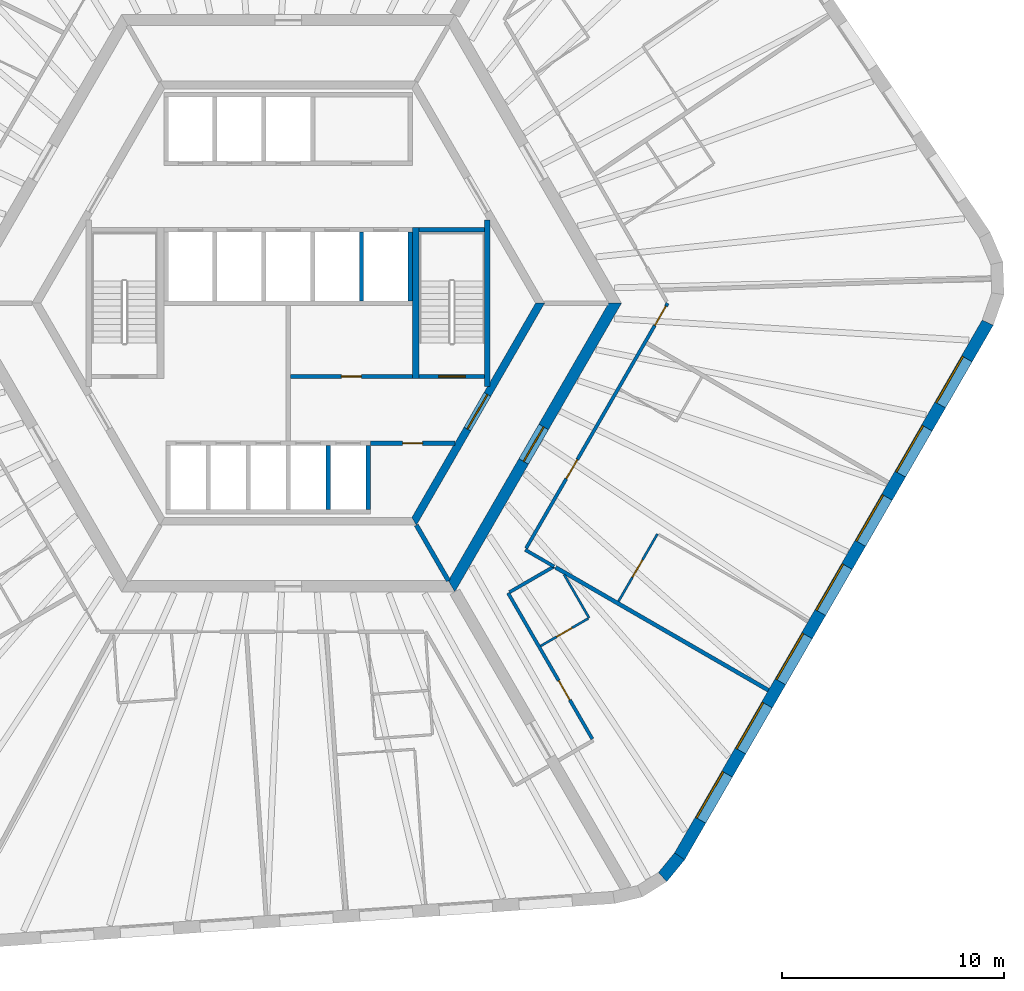
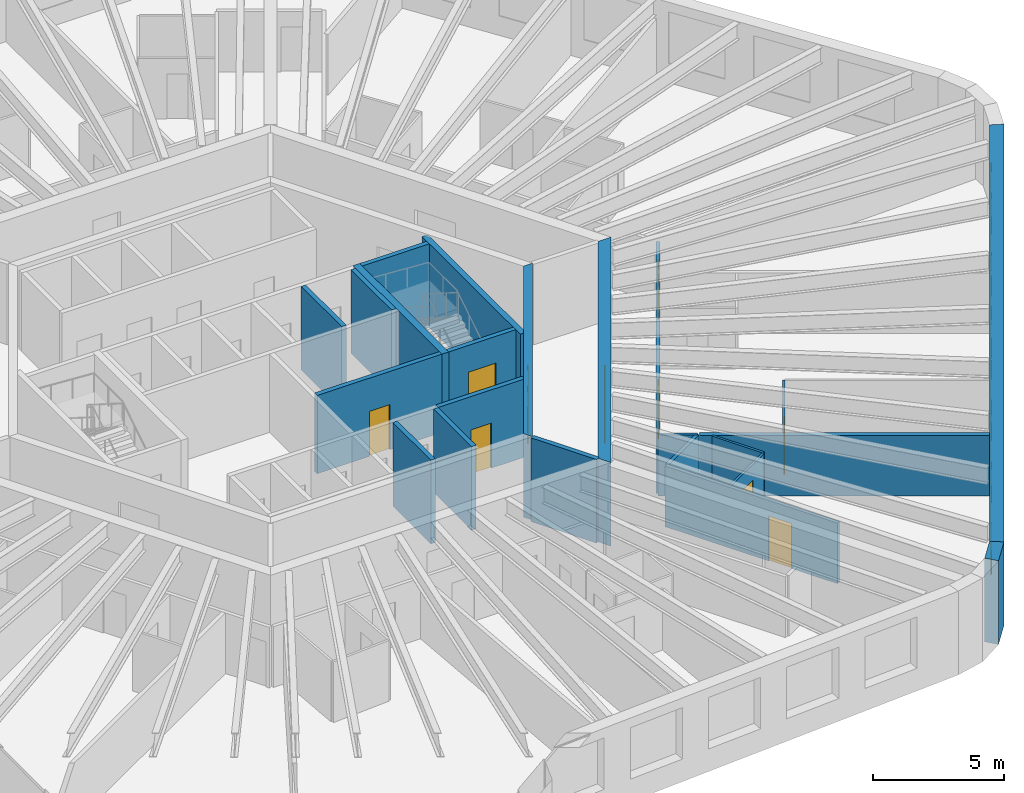
# One storey, part 5 of 10: 23 walls, 10 doors, 7 windows, 17 openings.
"""IFC4 building model written with IfcOpenShell, lengths in metres."""

from ifc_helpers import new_model, si_unit, direction, frame, frame_2d, origin, place, context, subcontext, project, spatial, polyline, rectangle, outline, extrude, material, layer, layer_set, type_object, element, fill, save


model = new_model("IFC4")

# Units and contexts
model_context = context("Model", 3, precision=1e-05, world=origin(), true_north=direction((0.0, 1.0)))
body_context = subcontext(model_context, "Body", "Model", "MODEL_VIEW")
ifc_project = project(units=[si_unit("LENGTHUNIT", "METRE"), si_unit("AREAUNIT", "SQUARE_METRE"), si_unit("VOLUMEUNIT", "CUBIC_METRE"), si_unit("PLANEANGLEUNIT", "RADIAN"), si_unit("MASSUNIT", "GRAM", prefix="KILO")], contexts=[model_context])

# Site, building, storey
site_placement = place(None, origin())
site = spatial("IfcSite", under=ifc_project, at=site_placement, CompositionType="ELEMENT")
building_placement = place(site_placement, origin())
building = spatial("IfcBuilding", under=site, at=building_placement, Name="Tarnside Tower", CompositionType="ELEMENT")
storey_placement = place(building_placement, frame((0.0, 0.0, 156.60009765625)))
storey = spatial("IfcBuildingStorey", under=building, at=storey_placement, Name="L36", CompositionType="ELEMENT", Elevation=156.60009765625)

# Wall
ifc_material_1 = material(Name="Gypsum board partition on steel studs", Category="steel")
ifc_layer_1 = layer(ifc_material_1, 0.10009765625)
ifc_layer_set_1 = layer_set([ifc_layer_1], Name="Bathroom wall 100")
wall_type_1 = type_object("IfcWallType", Name="Bathroom wall 100", PredefinedType="PARTITIONING", material=ifc_layer_set_1)
wall_1_placement = place(storey_placement, frame((12.42626953125, -12.22265625, 0.0), z_axis=(0.0, 0.0, 1.0), x_axis=(0.499919032186, -0.866072145528, 0.0)))
element("IfcWall", 1, at=wall_1_placement, inside=storey, type_object=wall_type_1, Name="Bathroom wall 11094", PredefinedType="PARTITIONING", context=body_context, shape_type="SweptSolid", body=[
    extrude(rectangle(XDim=2.257568359375, YDim=0.10009765625, at=frame_2d((1.12890625, 0.0))), origin(), (0.0, 0.0, 1.0), 2.8232421875),
])

# Wall, opening, door
wall_2_placement = place(storey_placement, frame((13.51171875, -14.202880859375, 0.0), z_axis=(0.0, 0.0, 1.0), x_axis=(-0.866006523861, -0.500032699561, 0.0)))
wall_2 = element("IfcWall", 2, at=wall_2_placement, inside=storey, type_object=wall_type_1, Name="Bathroom wall 11095", PredefinedType="PARTITIONING", context=body_context, shape_type="SweptSolid", body=[
    extrude(rectangle(XDim=2.474853515625, YDim=0.10009765625, at=frame_2d((1.2373046875, 0.0))), origin(), (0.0, 0.0, 1.0), 2.8232421875),
])
opening_1_placement = place(wall_2_placement, frame((0.85009765625, 0.0, 0.0)))
opening_1 = element("IfcOpeningElement", 3, at=opening_1_placement, cuts=wall_2, Name="Opening D-B1", PredefinedType="OPENING", context=body_context, shape_type="SweptSolid", body=[
    extrude(rectangle(XDim=0.800048828125, YDim=2.10009765625, at=frame_2d((0.39990234375, 1.050048828125))), frame((0.0, 0.06005859375, 0.0), z_axis=(0.0, -1.0, 0.0), x_axis=(1.0, 0.0, 0.0)), (0.0, 0.0, 1.0), 0.1201171875),
])
ifc_material_2 = material(Name="Timber door leaf", Category="wood")
door_type_1 = type_object("IfcDoorType", Name="Bathroom door 800", OperationType="NOTDEFINED", PredefinedType="DOOR", material=ifc_material_2)
door_1_placement = place(opening_1_placement, origin())
door_1 = element("IfcDoor", 4, at=door_1_placement, inside=storey, type_object=door_type_1, Name="Bathroom door 11026", OperationType="SINGLE_SWING_RIGHT", OverallHeight=2.10009765625, OverallWidth=0.800048828125, PredefinedType="DOOR", context=body_context, shape_type="SweptSolid", body=[
    extrude(rectangle(XDim=0.800048828125, YDim=2.10009765625, at=frame_2d((0.39990234375, 1.050048828125))), frame((0.0, 0.02490234375, 0.0), z_axis=(0.0, -1.0, 0.0), x_axis=(1.0, 0.0, 0.0)), (0.0, 0.0, 1.0), 0.050048828125),
])
fill(opening_1, door_1)

ifc_material_3 = material(Name="Concrete C50/60", Category="concrete")
ifc_layer_2 = layer(ifc_material_3, 0.35009765625)
ifc_layer_set_2 = layer_set([ifc_layer_2], Name="Core block wall 350 C50/60")
wall_type_2 = type_object("IfcWallType", Name="Core block wall 350 C50/60", PredefinedType="SHEAR", material=ifc_layer_set_2)
wall_3_placement = place(storey_placement, frame((5.672607421875, -9.824951171875, -0.150146484375), z_axis=(0.0, 0.0, 1.0), x_axis=(0.499995046907, 0.866028263435, 0.0)))
wall_3 = element("IfcWall", 5, at=wall_3_placement, inside=storey, type_object=wall_type_2, Name="L36 core block wall face 5", PredefinedType="SHEAR", context=body_context, shape_type="SweptSolid", body=[
    extrude(outline(polyline([(-0.10107421875, -0.175048828125), (11.44580078125, -0.175048828125), (11.24365234375, 0.175048828125), (0.10107421875, 0.175048828125), (-0.10107421875, -0.175048828125)])), origin(), (0.0, 0.0, 1.0), 3.900146484375),
])
opening_2_placement = place(wall_3_placement, frame((4.80126953125, 0.0, 0.14990234375)))
opening_2 = element("IfcOpeningElement", 6, at=opening_2_placement, cuts=wall_3, Name="Opening CD-FFL", PredefinedType="OPENING", context=body_context, shape_type="SweptSolid", body=[
    extrude(rectangle(XDim=1.800048828125, YDim=2.39990234375, at=frame_2d((0.89990234375, 1.199951171875))), frame((0.0, 0.18505859375, 0.0), z_axis=(0.0, -1.0, 0.0), x_axis=(1.0, 0.0, 0.0)), (0.0, 0.0, 1.0), 0.3701171875),
])
ifc_material_4 = material(Name="Steel fire door", Category="steel")
door_type_2 = type_object("IfcDoorType", Name="Firefighting lobby double door FD60S 1800x2400", OperationType="NOTDEFINED", PredefinedType="DOOR", material=ifc_material_4)
door_2_placement = place(opening_2_placement, origin())
door_2 = element("IfcDoor", 7, at=door_2_placement, inside=storey, type_object=door_type_2, Name="L36 lobby block door P4", OperationType="DOUBLE_DOOR_SINGLE_SWING", OverallHeight=2.39990234375, OverallWidth=1.800048828125, PredefinedType="DOOR", context=body_context, shape_type="SweptSolid", body=[
    extrude(rectangle(XDim=1.800048828125, YDim=2.39990234375, at=frame_2d((0.89990234375, 1.199951171875))), frame((0.0, 0.02490234375, 0.0), z_axis=(0.0, -1.0, 0.0), x_axis=(1.0, 0.0, 0.0)), (0.0, 0.0, 1.0), 0.050048828125),
])
fill(opening_2, door_2)

ifc_material_5 = material(Name="Concrete C40/50", Category="concrete")
ifc_layer_3 = layer(ifc_material_5, 0.199951171875)
ifc_layer_set_3 = layer_set([ifc_layer_3], Name="Core room partition 200 C40/50")
wall_type_3 = type_object("IfcWallType", Name="Core room partition 200 C40/50", PredefinedType="PARTITIONING", material=ifc_layer_set_3)
wall_4_placement = place(storey_placement, frame((0.10009765625, -3.300048828125, 0.0), z_axis=(0.0, 0.0, 1.0), x_axis=(1.0, 0.0, 0.0)))
wall_4 = element("IfcWall", 8, at=wall_4_placement, inside=storey, type_object=wall_type_3, Name="L36 core partition R3S1", PredefinedType="PARTITIONING", context=body_context, shape_type="SweptSolid", body=[
    extrude(rectangle(XDim=5.5, YDim=0.199951171875, at=frame_2d((2.75, 0.0))), origin(), (0.0, 0.0, 1.0), 3.64990234375),
])
opening_3_placement = place(wall_4_placement, frame((2.300048828125, 0.0, 0.0)))
opening_3 = element("IfcOpeningElement", 9, at=opening_3_placement, cuts=wall_4, Name="Opening CD-room", PredefinedType="OPENING", context=body_context, shape_type="SweptSolid", body=[
    extrude(rectangle(XDim=0.89990234375, YDim=2.10009765625, at=frame_2d((0.449951171875, 1.050048828125))), frame((0.0, 0.10986328125, 0.0), z_axis=(0.0, -1.0, 0.0), x_axis=(1.0, 0.0, 0.0)), (0.0, 0.0, 1.0), 0.219970703125),
])
door_type_3 = type_object("IfcDoorType", Name="Room door FD60 900x2100", OperationType="NOTDEFINED", PredefinedType="DOOR", material=ifc_material_4)
door_3_placement = place(opening_3_placement, origin())
door_3 = element("IfcDoor", 10, at=door_3_placement, inside=storey, type_object=door_type_3, Name="L36 core room door SR1", OperationType="SINGLE_SWING_LEFT", OverallHeight=2.10009765625, OverallWidth=0.89990234375, PredefinedType="DOOR", context=body_context, shape_type="SweptSolid", body=[
    extrude(rectangle(XDim=0.89990234375, YDim=2.10009765625, at=frame_2d((0.449951171875, 1.050048828125))), frame((0.0, 0.02490234375, 0.0), z_axis=(0.0, -1.0, 0.0), x_axis=(1.0, 0.0, 0.0)), (0.0, 0.0, 1.0), 0.050048828125),
])
fill(opening_3, door_3)

wall_5_placement = place(storey_placement, frame((3.699951171875, -6.300048828125, 0.0), z_axis=(0.0, 0.0, 1.0), x_axis=(1.0, 0.0, 0.0)))
wall_5 = element("IfcWall", 11, at=wall_5_placement, inside=storey, type_object=wall_type_3, Name="L36 core partition R4X", PredefinedType="PARTITIONING", context=body_context, shape_type="SweptSolid", body=[
    extrude(rectangle(XDim=3.8056640625, YDim=0.199951171875, at=frame_2d((1.90283203125, 0.0))), origin(), (0.0, 0.0, 1.0), 3.64990234375),
])
opening_4_placement = place(wall_5_placement, frame((1.452880859375, 0.0, 0.0)))
opening_4 = element("IfcOpeningElement", 12, at=opening_4_placement, cuts=wall_5, Name="Opening CD-room", PredefinedType="OPENING", context=body_context, shape_type="SweptSolid", body=[
    extrude(rectangle(XDim=0.89990234375, YDim=2.10009765625, at=frame_2d((0.449951171875, 1.050048828125))), frame((0.0, 0.10986328125, 0.0), z_axis=(0.0, -1.0, 0.0), x_axis=(1.0, 0.0, 0.0)), (0.0, 0.0, 1.0), 0.219970703125),
])
door_4_placement = place(opening_4_placement, origin())
door_4 = element("IfcDoor", 13, at=door_4_placement, inside=storey, type_object=door_type_3, Name="L36 core room door RX", OperationType="SINGLE_SWING_LEFT", OverallHeight=2.10009765625, OverallWidth=0.89990234375, PredefinedType="DOOR", context=body_context, shape_type="SweptSolid", body=[
    extrude(rectangle(XDim=0.89990234375, YDim=2.10009765625, at=frame_2d((0.449951171875, 1.050048828125))), frame((0.0, 0.02490234375, 0.0), z_axis=(0.0, -1.0, 0.0), x_axis=(1.0, 0.0, 0.0)), (0.0, 0.0, 1.0), 0.050048828125),
])
fill(opening_4, door_4)

ifc_material_6 = material(Name="Concrete C70/85", Category="concrete")
ifc_layer_4 = layer(ifc_material_6, 0.5)
ifc_layer_set_4 = layer_set([ifc_layer_4], Name="Core wall Z2 500 C70/85")
wall_type_4 = type_object("IfcWallType", Name="Core wall Z2 500 C70/85", PredefinedType="SHEAR", material=ifc_layer_set_4)
wall_6_placement = place(storey_placement, frame((7.361083984375, -12.75, -0.150146484375), z_axis=(0.0, 0.0, 1.0), x_axis=(0.50000571537, 0.866022103989, 0.0)))
wall_6 = element("IfcWall", 14, at=wall_6_placement, inside=storey, type_object=wall_type_4, Name="L36 core wall face 5", PredefinedType="SHEAR", context=body_context, shape_type="SweptSolid", body=[
    extrude(outline(polyline([(-0.144287109375, -0.25), (14.86669921875, -0.25), (14.578125, 0.25), (0.144287109375, 0.25), (-0.144287109375, -0.25)])), origin(), (0.0, 0.0, 1.0), 3.900146484375),
])
opening_5_placement = place(wall_6_placement, frame((6.489990234375, 0.0, 0.14990234375)))
opening_5 = element("IfcOpeningElement", 15, at=opening_5_placement, cuts=wall_6, Name="Opening CD-FFL", PredefinedType="OPENING", context=body_context, shape_type="SweptSolid", body=[
    extrude(rectangle(XDim=1.800048828125, YDim=2.39990234375, at=frame_2d((0.89990234375, 1.199951171875))), frame((0.0, 0.260009765625, 0.0), z_axis=(0.0, -1.0, 0.0), x_axis=(1.0, 0.0, 0.0)), (0.0, 0.0, 1.0), 0.52001953125),
])
door_5_placement = place(opening_5_placement, origin())
door_5 = element("IfcDoor", 16, at=door_5_placement, inside=storey, type_object=door_type_2, Name="L36 core door P4", OperationType="DOUBLE_DOOR_SINGLE_SWING", OverallHeight=2.39990234375, OverallWidth=1.800048828125, PredefinedType="DOOR", context=body_context, shape_type="SweptSolid", body=[
    extrude(rectangle(XDim=1.800048828125, YDim=2.39990234375, at=frame_2d((0.89990234375, 1.199951171875))), frame((0.0, 0.02490234375, 0.0), z_axis=(0.0, -1.0, 0.0), x_axis=(1.0, 0.0, 0.0)), (0.0, 0.0, 1.0), 0.050048828125),
])
fill(opening_5, door_5)

ifc_layer_5 = layer(ifc_material_1, 0.14990234375)
ifc_layer_set_5 = layer_set([ifc_layer_5], Name="Corridor wall 150 EI 60")
wall_type_5 = type_object("IfcWallType", Name="Corridor wall 150 EI 60", PredefinedType="PARTITIONING", material=ifc_layer_set_5)
wall_7_placement = place(storey_placement, frame((13.69921875, -19.6279296875, 0.0), z_axis=(0.0, 0.0, 1.0), x_axis=(-0.499998968938, 0.866025999068, 0.0)))
wall_7 = element("IfcWall", 17, at=wall_7_placement, inside=storey, type_object=wall_type_5, Name="Corridor wall 11033", PredefinedType="PARTITIONING", context=body_context, shape_type="SweptSolid", body=[
    extrude(rectangle(XDim=7.591796875, YDim=0.14990234375, at=frame_2d((3.7958984375, 0.0))), origin(), (0.0, 0.0, 1.0), 2.8232421875),
])
opening_6_placement = place(wall_7_placement, frame((2.033447265625, 0.0, 0.0)))
opening_6 = element("IfcOpeningElement", 18, at=opening_6_placement, cuts=wall_7, Name="Opening D-E1", PredefinedType="OPENING", context=body_context, shape_type="SweptSolid", body=[
    extrude(rectangle(XDim=1.0, YDim=2.10009765625, at=frame_2d((0.5, 1.050048828125))), frame((0.0, 0.0849609375, 0.0), z_axis=(0.0, -1.0, 0.0), x_axis=(1.0, 0.0, 0.0)), (0.0, 0.0, 1.0), 0.169921875),
])
door_type_4 = type_object("IfcDoorType", Name="Unit entrance door 1000 FD30S", OperationType="NOTDEFINED", PredefinedType="DOOR", material=ifc_material_2)
door_6_placement = place(opening_6_placement, origin())
door_6 = element("IfcDoor", 19, at=door_6_placement, inside=storey, type_object=door_type_4, Name="Unit door 11025", OperationType="SINGLE_SWING_LEFT", OverallHeight=2.10009765625, OverallWidth=1.0, PredefinedType="DOOR", context=body_context, shape_type="SweptSolid", body=[
    extrude(rectangle(XDim=1.0, YDim=2.10009765625, at=frame_2d((0.5, 1.050048828125))), frame((0.0, 0.02490234375, 0.0), z_axis=(0.0, -1.0, 0.0), x_axis=(1.0, 0.0, 0.0)), (0.0, 0.0, 1.0), 0.050048828125),
])
fill(opening_6, door_6)

# Walls
wall_8_placement = place(storey_placement, frame((9.96826171875, -13.015625, 0.0), z_axis=(0.0, 0.0, 1.0), x_axis=(0.866022320763, 0.500005339912, 0.0)))
element("IfcWall", 20, at=wall_8_placement, inside=storey, type_object=wall_type_5, Name="Corridor wall 11035", PredefinedType="PARTITIONING", context=body_context, shape_type="SweptSolid", body=[
    extrude(rectangle(XDim=2.31591796875, YDim=0.14990234375, at=frame_2d((1.157958984375, 0.0))), origin(), (0.0, 0.0, 1.0), 2.8232421875),
])
wall_9_placement = place(storey_placement, frame((11.9765625, -11.859375, 0.0), z_axis=(0.0, 0.0, 1.0), x_axis=(-0.865993364801, 0.500055489042, 0.0)))
element("IfcWall", 21, at=wall_9_placement, inside=storey, type_object=wall_type_5, Name="Corridor wall 11036", PredefinedType="PARTITIONING", context=body_context, shape_type="SweptSolid", body=[
    extrude(rectangle(XDim=1.501708984375, YDim=0.14990234375, at=frame_2d((0.7509765625, 0.0))), origin(), (0.0, 0.0, 1.0), 2.8232421875),
])

# Wall, openings, doors
wall_10_placement = place(storey_placement, frame((10.713623046875, -11.04345703125, 0.0), z_axis=(0.0, 0.0, 1.0), x_axis=(0.500001980452, 0.866024260367, 0.0)))
wall_10 = element("IfcWall", 22, at=wall_10_placement, inside=storey, type_object=wall_type_5, Name="Corridor wall 11037", PredefinedType="PARTITIONING", context=body_context, shape_type="SweptSolid", body=[
    extrude(rectangle(XDim=12.751953125, YDim=0.14990234375, at=frame_2d((6.3759765625, 0.0))), origin(), (0.0, 0.0, 1.0), 2.8232421875),
])
opening_7_placement = place(wall_10_placement, frame((3.625, 0.0, 0.0)))
opening_7 = element("IfcOpeningElement", 23, at=opening_7_placement, cuts=wall_10, Name="Opening D-E1", PredefinedType="OPENING", context=body_context, shape_type="SweptSolid", body=[
    extrude(rectangle(XDim=1.0, YDim=2.10009765625, at=frame_2d((0.5, 1.050048828125))), frame((0.0, 0.0849609375, 0.0), z_axis=(0.0, -1.0, 0.0), x_axis=(1.0, 0.0, 0.0)), (0.0, 0.0, 1.0), 0.169921875),
])
opening_8_placement = place(wall_10_placement, frame((11.601806640625, 0.0, 0.0)))
opening_8 = element("IfcOpeningElement", 24, at=opening_8_placement, cuts=wall_10, Name="Opening D-E1", PredefinedType="OPENING", context=body_context, shape_type="SweptSolid", body=[
    extrude(rectangle(XDim=1.0, YDim=2.10009765625, at=frame_2d((0.5, 1.050048828125))), frame((0.0, 0.0849609375, 0.0), z_axis=(0.0, -1.0, 0.0), x_axis=(1.0, 0.0, 0.0)), (0.0, 0.0, 1.0), 0.169921875),
])
door_7_placement = place(opening_7_placement, origin())
door_7 = element("IfcDoor", 25, at=door_7_placement, inside=storey, type_object=door_type_4, Name="Unit door 11027", OperationType="SINGLE_SWING_RIGHT", OverallHeight=2.10009765625, OverallWidth=1.0, PredefinedType="DOOR", context=body_context, shape_type="SweptSolid", body=[
    extrude(rectangle(XDim=1.0, YDim=2.10009765625, at=frame_2d((0.5, 1.050048828125))), frame((0.0, 0.02490234375, 0.0), z_axis=(0.0, -1.0, 0.0), x_axis=(1.0, 0.0, 0.0)), (0.0, 0.0, 1.0), 0.050048828125),
])
fill(opening_7, door_7)
door_8_placement = place(opening_8_placement, origin())
door_8 = element("IfcDoor", 26, at=door_8_placement, inside=storey, type_object=door_type_4, Name="Unit door 11030", OperationType="SINGLE_SWING_LEFT", OverallHeight=2.10009765625, OverallWidth=1.0, PredefinedType="DOOR", context=body_context, shape_type="SweptSolid", body=[
    extrude(rectangle(XDim=1.0, YDim=2.10009765625, at=frame_2d((0.5, 1.050048828125))), frame((0.0, 0.02490234375, 0.0), z_axis=(0.0, -1.0, 0.0), x_axis=(1.0, 0.0, 0.0)), (0.0, 0.0, 1.0), 0.050048828125),
])
fill(opening_8, door_8)

# Walls
ifc_layer_6 = layer(ifc_material_1, 0.179931640625)
ifc_layer_set_6 = layer_set([ifc_layer_6], Name="Demising wall 180 EI 60")
wall_type_6 = type_object("IfcWallType", Name="Demising wall 180 EI 60", PredefinedType="PARTITIONING", material=ifc_layer_set_6)
wall_11_placement = place(storey_placement, frame((21.63134765625, -17.433349609375, 0.0), z_axis=(0.0, 0.0, 1.0), x_axis=(-0.866031296205, 0.499989793889, 0.0)))
element("IfcWall", 27, at=wall_11_placement, inside=storey, type_object=wall_type_6, Name="Demising wall 11096", PredefinedType="PARTITIONING", context=body_context, shape_type="SweptSolid", body=[
    extrude(rectangle(XDim=11.067138671875, YDim=0.179931640625, at=frame_2d((5.53369140625, 0.0))), origin(), (0.0, 0.0, 1.0), 2.8232421875),
])
ifc_layer_7 = layer(ifc_material_5, 0.199951171875)
ifc_layer_set_7 = layer_set([ifc_layer_7], Name="Lift shaft wall 200 C40/50")
wall_type_7 = type_object("IfcWallType", Name="Lift shaft wall 200 C40/50", PredefinedType="SHEAR", material=ifc_layer_set_7)
for number, where, z_axis, x_axis, name in (
    (28, (3.300048828125, 0.10009765625, -0.25), (0.0, 0.0, 1.0), (0.0, 1.0, 0.0), "L36 lift shaft partition R25"),
    (29, (5.5, 0.10009765625, -0.25), (0.0, 0.0, 1.0), (0.0, 1.0, 0.0), "L36 lift shaft partition R26"),
):
    element("IfcWall", number, at=place(storey_placement, frame(where, z_axis=z_axis, x_axis=x_axis)), inside=storey, type_object=wall_type_7, Name=name, PredefinedType="SHEAR", context=body_context, shape_type="SweptSolid", body=[
        extrude(rectangle(XDim=3.099853515625, YDim=0.199951171875, at=frame_2d((1.5498046875, 0.0))), origin(), (0.0, 0.0, 1.0), 3.89990234375),
    ])
for number, where, z_axis, x_axis, name in (
    (30, (1.800048828125, -9.300048828125, -0.25), (0.0, 0.0, 1.0), (0.0, 1.0, 0.0), "L36 lift shaft partition R45"),
    (31, (3.60009765625, -9.300048828125, -0.25), (0.0, 0.0, 1.0), (0.0, 1.0, 0.0), "L36 lift shaft partition R46"),
):
    element("IfcWall", number, at=place(storey_placement, frame(where, z_axis=z_axis, x_axis=x_axis)), inside=storey, type_object=wall_type_7, Name=name, PredefinedType="SHEAR", context=body_context, shape_type="SweptSolid", body=[
        extrude(rectangle(XDim=2.900146484375, YDim=0.199951171875, at=frame_2d((1.4501953125, 0.0))), origin(), (0.0, 0.0, 1.0), 3.89990234375),
    ])
wall_12_placement = place(storey_placement, frame((5.7734375, -10.0, -0.150146484375), z_axis=(0.0, 0.0, 1.0), x_axis=(0.499995765644, -0.866027848477, 0.0)))
element("IfcWall", 32, at=wall_12_placement, inside=storey, type_object=wall_type_7, Name="L36 core partition AR300", PredefinedType="SHEAR", context=body_context, shape_type="SweptSolid", body=[
    extrude(rectangle(XDim=2.88671875, YDim=0.199951171875, at=frame_2d((1.443359375, 0.0))), origin(), (0.0, 0.0, 1.0), 3.900146484375),
])
wall_13_placement = place(storey_placement, frame((5.89990234375, 3.300048828125, -0.25), z_axis=(0.0, 0.0, 1.0), x_axis=(1.0, 0.0, 0.0)))
element("IfcWall", 33, at=wall_13_placement, inside=storey, type_object=wall_type_7, Name="L36 stair 1 enclosure cap wall n", PredefinedType="SHEAR", context=body_context, shape_type="SweptSolid", body=[
    extrude(rectangle(XDim=2.9501953125, YDim=0.199951171875, at=frame_2d((1.47509765625, 0.0))), origin(), (0.0, 0.0, 1.0), 3.89990234375),
])

# Wall, opening, door
wall_14_placement = place(storey_placement, frame((5.89990234375, -3.300048828125, -0.25), z_axis=(0.0, 0.0, 1.0), x_axis=(1.0, 0.0, 0.0)))
wall_14 = element("IfcWall", 34, at=wall_14_placement, inside=storey, type_object=wall_type_7, Name="L36 stair 1 enclosure cap wall s", PredefinedType="SHEAR", context=body_context, shape_type="SweptSolid", body=[
    extrude(rectangle(XDim=2.9501953125, YDim=0.199951171875, at=frame_2d((1.47509765625, 0.0))), origin(), (0.0, 0.0, 1.0), 3.89990234375),
])
opening_9_placement = place(wall_14_placement, frame((0.875, 0.0, 0.25)))
opening_9 = element("IfcOpeningElement", 35, at=opening_9_placement, cuts=wall_14, Name="Opening CD-STR", PredefinedType="OPENING", context=body_context, shape_type="SweptSolid", body=[
    extrude(rectangle(XDim=1.199951171875, YDim=2.39990234375, at=frame_2d((0.60009765625, 1.199951171875))), frame((0.0, 0.10986328125, 0.0), z_axis=(0.0, -1.0, 0.0), x_axis=(1.0, 0.0, 0.0)), (0.0, 0.0, 1.0), 0.219970703125),
])
door_type_5 = type_object("IfcDoorType", Name="Stair door FD60S 1200x2400", OperationType="NOTDEFINED", PredefinedType="DOOR", material=ifc_material_4)
door_9_placement = place(opening_9_placement, origin())
door_9 = element("IfcDoor", 36, at=door_9_placement, inside=storey, type_object=door_type_5, Name="L36 stair 1 door", OperationType="SINGLE_SWING_LEFT", OverallHeight=2.39990234375, OverallWidth=1.199951171875, PredefinedType="DOOR", context=body_context, shape_type="SweptSolid", body=[
    extrude(rectangle(XDim=1.199951171875, YDim=2.39990234375, at=frame_2d((0.60009765625, 1.199951171875))), frame((0.0, 0.02490234375, 0.0), z_axis=(0.0, -1.0, 0.0), x_axis=(1.0, 0.0, 0.0)), (0.0, 0.0, 1.0), 0.050048828125),
])
fill(opening_9, door_9)

ifc_layer_8 = layer(ifc_material_1, 0.10009765625)
ifc_layer_set_8 = layer_set([ifc_layer_8], Name="Partition 100")
wall_type_8 = type_object("IfcWallType", Name="Partition 100", PredefinedType="PARTITIONING", material=ifc_layer_set_8)
wall_15_placement = place(storey_placement, frame((14.8779296875, -13.430419921875, 0.0), z_axis=(0.0, 0.0, 1.0), x_axis=(0.500021481416, 0.866013001128, 0.0)))
wall_15 = element("IfcWall", 37, at=wall_15_placement, inside=storey, type_object=wall_type_8, Name="Partition wall 11101", PredefinedType="PARTITIONING", context=body_context, shape_type="SweptSolid", body=[
    extrude(rectangle(XDim=3.510009765625, YDim=0.10009765625, at=frame_2d((1.7548828125, 0.0))), origin(), (0.0, 0.0, 1.0), 2.8232421875),
])
opening_10_placement = place(wall_15_placement, frame((1.260009765625, 0.0, 0.0)))
opening_10 = element("IfcOpeningElement", 38, at=opening_10_placement, cuts=wall_15, Name="Opening D-I1", PredefinedType="OPENING", context=body_context, shape_type="SweptSolid", body=[
    extrude(rectangle(XDim=0.89990234375, YDim=2.10009765625, at=frame_2d((0.449951171875, 1.050048828125))), frame((0.0, 0.06005859375, 0.0), z_axis=(0.0, -1.0, 0.0), x_axis=(1.0, 0.0, 0.0)), (0.0, 0.0, 1.0), 0.1201171875),
])
door_type_6 = type_object("IfcDoorType", Name="Internal door 900", OperationType="NOTDEFINED", PredefinedType="DOOR", material=ifc_material_2)
door_10_placement = place(opening_10_placement, origin())
door_10 = element("IfcDoor", 39, at=door_10_placement, inside=storey, type_object=door_type_6, Name="Internal door 11029", OperationType="SINGLE_SWING_RIGHT", OverallHeight=2.10009765625, OverallWidth=0.89990234375, PredefinedType="DOOR", context=body_context, shape_type="SweptSolid", body=[
    extrude(rectangle(XDim=0.89990234375, YDim=2.10009765625, at=frame_2d((0.449951171875, 1.050048828125))), frame((0.0, 0.02490234375, 0.0), z_axis=(0.0, -1.0, 0.0), x_axis=(1.0, 0.0, 0.0)), (0.0, 0.0, 1.0), 0.050048828125),
])
fill(opening_10, door_10)

# Walls
ifc_layer_9 = layer(ifc_material_5, 0.25)
ifc_layer_set_9 = layer_set([ifc_layer_9], Name="Stair enclosure wall 250 C40/50")
wall_type_9 = type_object("IfcWallType", Name="Stair enclosure wall 250 C40/50", PredefinedType="SHEAR", material=ifc_layer_set_9)
wall_16_placement = place(storey_placement, frame((8.97509765625, -3.7548828125, -0.25), z_axis=(0.0, 0.0, 1.0), x_axis=(0.0, 1.0, 0.0)))
element("IfcWall", 40, at=wall_16_placement, inside=storey, type_object=wall_type_9, Name="L36 stair 1 enclosure wall outer", PredefinedType="SHEAR", context=body_context, shape_type="SweptSolid", body=[
    extrude(rectangle(XDim=7.509765625, YDim=0.25, at=frame_2d((3.7548828125, 0.0))), origin(), (0.0, 0.0, 1.0), 3.89990234375),
])
ifc_layer_10 = layer(ifc_material_5, 0.300048828125)
ifc_layer_set_10 = layer_set([ifc_layer_10], Name="Stair enclosure wall 300 C40/50")
wall_type_10 = type_object("IfcWallType", Name="Stair enclosure wall 300 C40/50", PredefinedType="SHEAR", material=ifc_layer_set_10)
wall_17_placement = place(storey_placement, frame((5.75, -3.39990234375, -0.25), z_axis=(0.0, 0.0, 1.0), x_axis=(0.0, 1.0, 0.0)))
element("IfcWall", 41, at=wall_17_placement, inside=storey, type_object=wall_type_10, Name="L36 stair 1 enclosure wall inner", PredefinedType="SHEAR", context=body_context, shape_type="SweptSolid", body=[
    extrude(rectangle(XDim=6.7998046875, YDim=0.300048828125, at=frame_2d((3.39990234375, 0.0))), origin(), (0.0, 0.0, 1.0), 3.89990234375),
])
ifc_material_7 = material(Name="Facing brick", Category="masonry")
ifc_layer_11 = layer(ifc_material_7, 0.10205078125)
ifc_material_8 = material(Name="Concrete C60/75 precast", Category="concrete")
ifc_layer_12 = layer(ifc_material_8, 0.347900390625)
ifc_material_9 = material(Name="Mineral wool insulation")
ifc_layer_13 = layer(ifc_material_9, 0.10009765625)
ifc_layer_set_11 = layer_set([ifc_layer_11, ifc_layer_12, ifc_layer_13], Name="Tube wall 550 brick faced")
wall_type_11 = type_object("IfcWallType", Name="Tube wall 550 brick faced", PredefinedType="SOLIDWALL", material=ifc_layer_set_11)
wall_18_placement = place(storey_placement, frame((16.8642578125, -25.848388671875, -0.150146484375), z_axis=(0.0, 0.0, 1.0), x_axis=(0.633842757806, 0.773461930787, 0.0)))
element("IfcWall", 42, at=wall_18_placement, inside=storey, type_object=wall_type_11, Name="Tube wall L36 F4 chord 15", PredefinedType="SOLIDWALL", context=body_context, shape_type="SweptSolid", body=[
    extrude(outline(polyline([(-0.045166015625, -0.27490234375), (1.230712890625, -0.27490234375), (1.185791015625, 0.27490234375), (0.045166015625, 0.27490234375), (-0.045166015625, -0.27490234375)])), origin(), (0.0, 0.0, 1.0), 3.900146484375),
])

# Wall, openings, windows
wall_19_placement = place(storey_placement, frame((17.630126953125, -24.913818359375, -0.150146484375), z_axis=(0.0, 0.0, 1.0), x_axis=(0.499998569178, 0.866026229868, 0.0)))
wall_19 = element("IfcWall", 43, at=wall_19_placement, inside=storey, type_object=wall_type_11, Name="Tube wall L36 F5 flush 16", PredefinedType="SOLIDWALL", context=body_context, shape_type="SweptSolid", body=[
    extrude(outline(polyline([(-0.0224609375, -0.27490234375), (27.783447265625, -0.27490234375), (27.732177734375, 0.27490234375), (0.0224609375, 0.27490234375), (-0.0224609375, -0.27490234375)])), origin(), (0.0, 0.0, 1.0), 3.900146484375),
])
opening_11_placement = place(wall_19_placement, frame((1.87890625, 0.0, 1.050048828125)))
opening_11 = element("IfcOpeningElement", 44, at=opening_11_placement, cuts=wall_19, Name="Opening WH", PredefinedType="OPENING", context=body_context, shape_type="SweptSolid", body=[
    extrude(rectangle(XDim=2.39990234375, YDim=2.39990234375, at=frame_2d((1.199951171875, 1.199951171875))), frame((0.0, 0.28515625, 0.0), z_axis=(0.0, -1.0, 0.0), x_axis=(1.0, 0.0, 0.0)), (0.0, 0.0, 1.0), 0.570068359375),
])
opening_12_placement = place(wall_19_placement, frame((5.47900390625, 0.0, 1.050048828125)))
opening_12 = element("IfcOpeningElement", 45, at=opening_12_placement, cuts=wall_19, Name="Opening WH", PredefinedType="OPENING", context=body_context, shape_type="SweptSolid", body=[
    extrude(rectangle(XDim=2.39990234375, YDim=2.39990234375, at=frame_2d((1.199951171875, 1.199951171875))), frame((0.0, 0.28515625, 0.0), z_axis=(0.0, -1.0, 0.0), x_axis=(1.0, 0.0, 0.0)), (0.0, 0.0, 1.0), 0.570068359375),
])
opening_13_placement = place(wall_19_placement, frame((9.078857421875, 0.0, 1.050048828125)))
opening_13 = element("IfcOpeningElement", 46, at=opening_13_placement, cuts=wall_19, Name="Opening WH", PredefinedType="OPENING", context=body_context, shape_type="SweptSolid", body=[
    extrude(rectangle(XDim=2.39990234375, YDim=2.39990234375, at=frame_2d((1.199951171875, 1.199951171875))), frame((0.0, 0.28515625, 0.0), z_axis=(0.0, -1.0, 0.0), x_axis=(1.0, 0.0, 0.0)), (0.0, 0.0, 1.0), 0.570068359375),
])
opening_14_placement = place(wall_19_placement, frame((12.678955078125, 0.0, 1.050048828125)))
opening_14 = element("IfcOpeningElement", 47, at=opening_14_placement, cuts=wall_19, Name="Opening WH", PredefinedType="OPENING", context=body_context, shape_type="SweptSolid", body=[
    extrude(rectangle(XDim=2.39990234375, YDim=2.39990234375, at=frame_2d((1.199951171875, 1.199951171875))), frame((0.0, 0.28515625, 0.0), z_axis=(0.0, -1.0, 0.0), x_axis=(1.0, 0.0, 0.0)), (0.0, 0.0, 1.0), 0.570068359375),
])
opening_15_placement = place(wall_19_placement, frame((16.27880859375, 0.0, 1.050048828125)))
opening_15 = element("IfcOpeningElement", 48, at=opening_15_placement, cuts=wall_19, Name="Opening WH", PredefinedType="OPENING", context=body_context, shape_type="SweptSolid", body=[
    extrude(rectangle(XDim=2.39990234375, YDim=2.39990234375, at=frame_2d((1.199951171875, 1.199951171875))), frame((0.0, 0.28515625, 0.0), z_axis=(0.0, -1.0, 0.0), x_axis=(1.0, 0.0, 0.0)), (0.0, 0.0, 1.0), 0.570068359375),
])
opening_16_placement = place(wall_19_placement, frame((19.87890625, 0.0, 1.050048828125)))
opening_16 = element("IfcOpeningElement", 49, at=opening_16_placement, cuts=wall_19, Name="Opening WH", PredefinedType="OPENING", context=body_context, shape_type="SweptSolid", body=[
    extrude(rectangle(XDim=2.39990234375, YDim=2.39990234375, at=frame_2d((1.199951171875, 1.199951171875))), frame((0.0, 0.28515625, 0.0), z_axis=(0.0, -1.0, 0.0), x_axis=(1.0, 0.0, 0.0)), (0.0, 0.0, 1.0), 0.570068359375),
])
opening_17_placement = place(wall_19_placement, frame((23.47900390625, 0.0, 1.050048828125)))
opening_17 = element("IfcOpeningElement", 50, at=opening_17_placement, cuts=wall_19, Name="Opening WH", PredefinedType="OPENING", context=body_context, shape_type="SweptSolid", body=[
    extrude(rectangle(XDim=2.39990234375, YDim=2.39990234375, at=frame_2d((1.199951171875, 1.199951171875))), frame((0.0, 0.28515625, 0.0), z_axis=(0.0, -1.0, 0.0), x_axis=(1.0, 0.0, 0.0)), (0.0, 0.0, 1.0), 0.570068359375),
])
ifc_material_10 = material(Name="Aluminium-framed double glazing", Category="aluminium")
window_type = type_object("IfcWindowType", Name="Hotel window 2400 x 2400", PartitioningType="DOUBLE_PANEL_VERTICAL", PredefinedType="WINDOW", material=ifc_material_10)
window_1_placement = place(opening_11_placement, frame((0.0, 0.205078125, 0.0)))
window_1 = element("IfcWindow", 51, at=window_1_placement, inside=storey, type_object=window_type, Name="E.WN.L36.F5.00", OverallHeight=2.39990234375, OverallWidth=2.39990234375, PartitioningType="DOUBLE_PANEL_VERTICAL", PredefinedType="WINDOW", context=body_context, shape_type="SweptSolid", body=[
    extrude(rectangle(XDim=2.39990234375, YDim=2.39990234375, at=frame_2d((1.199951171875, 1.199951171875))), frame((0.0, 0.030029296875, 0.0), z_axis=(0.0, -1.0, 0.0), x_axis=(1.0, 0.0, 0.0)), (0.0, 0.0, 1.0), 0.06005859375),
])
fill(opening_11, window_1)
window_2_placement = place(opening_12_placement, frame((0.0, 0.205078125, 0.0)))
window_2 = element("IfcWindow", 52, at=window_2_placement, inside=storey, type_object=window_type, Name="E.WN.L36.F5.01", OverallHeight=2.39990234375, OverallWidth=2.39990234375, PartitioningType="DOUBLE_PANEL_VERTICAL", PredefinedType="WINDOW", context=body_context, shape_type="SweptSolid", body=[
    extrude(rectangle(XDim=2.39990234375, YDim=2.39990234375, at=frame_2d((1.199951171875, 1.199951171875))), frame((0.0, 0.030029296875, 0.0), z_axis=(0.0, -1.0, 0.0), x_axis=(1.0, 0.0, 0.0)), (0.0, 0.0, 1.0), 0.06005859375),
])
fill(opening_12, window_2)
window_3_placement = place(opening_13_placement, frame((0.0, 0.205078125, 0.0)))
window_3 = element("IfcWindow", 53, at=window_3_placement, inside=storey, type_object=window_type, Name="E.WN.L36.F5.02", OverallHeight=2.39990234375, OverallWidth=2.39990234375, PartitioningType="DOUBLE_PANEL_VERTICAL", PredefinedType="WINDOW", context=body_context, shape_type="SweptSolid", body=[
    extrude(rectangle(XDim=2.39990234375, YDim=2.39990234375, at=frame_2d((1.199951171875, 1.199951171875))), frame((0.0, 0.030029296875, 0.0), z_axis=(0.0, -1.0, 0.0), x_axis=(1.0, 0.0, 0.0)), (0.0, 0.0, 1.0), 0.06005859375),
])
fill(opening_13, window_3)
window_4_placement = place(opening_14_placement, frame((0.0, 0.205078125, 0.0)))
window_4 = element("IfcWindow", 54, at=window_4_placement, inside=storey, type_object=window_type, Name="E.WN.L36.F5.03", OverallHeight=2.39990234375, OverallWidth=2.39990234375, PartitioningType="DOUBLE_PANEL_VERTICAL", PredefinedType="WINDOW", context=body_context, shape_type="SweptSolid", body=[
    extrude(rectangle(XDim=2.39990234375, YDim=2.39990234375, at=frame_2d((1.199951171875, 1.199951171875))), frame((0.0, 0.030029296875, 0.0), z_axis=(0.0, -1.0, 0.0), x_axis=(1.0, 0.0, 0.0)), (0.0, 0.0, 1.0), 0.06005859375),
])
fill(opening_14, window_4)
window_5_placement = place(opening_15_placement, frame((0.0, 0.205078125, 0.0)))
window_5 = element("IfcWindow", 55, at=window_5_placement, inside=storey, type_object=window_type, Name="E.WN.L36.F5.04", OverallHeight=2.39990234375, OverallWidth=2.39990234375, PartitioningType="DOUBLE_PANEL_VERTICAL", PredefinedType="WINDOW", context=body_context, shape_type="SweptSolid", body=[
    extrude(rectangle(XDim=2.39990234375, YDim=2.39990234375, at=frame_2d((1.199951171875, 1.199951171875))), frame((0.0, 0.030029296875, 0.0), z_axis=(0.0, -1.0, 0.0), x_axis=(1.0, 0.0, 0.0)), (0.0, 0.0, 1.0), 0.06005859375),
])
fill(opening_15, window_5)
window_6_placement = place(opening_16_placement, frame((0.0, 0.205078125, 0.0)))
window_6 = element("IfcWindow", 56, at=window_6_placement, inside=storey, type_object=window_type, Name="E.WN.L36.F5.05", OverallHeight=2.39990234375, OverallWidth=2.39990234375, PartitioningType="DOUBLE_PANEL_VERTICAL", PredefinedType="WINDOW", context=body_context, shape_type="SweptSolid", body=[
    extrude(rectangle(XDim=2.39990234375, YDim=2.39990234375, at=frame_2d((1.199951171875, 1.199951171875))), frame((0.0, 0.030029296875, 0.0), z_axis=(0.0, -1.0, 0.0), x_axis=(1.0, 0.0, 0.0)), (0.0, 0.0, 1.0), 0.06005859375),
])
fill(opening_16, window_6)
window_7_placement = place(opening_17_placement, frame((0.0, 0.205078125, 0.0)))
window_7 = element("IfcWindow", 57, at=window_7_placement, inside=storey, type_object=window_type, Name="E.WN.L36.F5.06", OverallHeight=2.39990234375, OverallWidth=2.39990234375, PartitioningType="DOUBLE_PANEL_VERTICAL", PredefinedType="WINDOW", context=body_context, shape_type="SweptSolid", body=[
    extrude(rectangle(XDim=2.39990234375, YDim=2.39990234375, at=frame_2d((1.199951171875, 1.199951171875))), frame((0.0, 0.030029296875, 0.0), z_axis=(0.0, -1.0, 0.0), x_axis=(1.0, 0.0, 0.0)), (0.0, 0.0, 1.0), 0.06005859375),
])
fill(opening_17, window_7)

save(model, "model.ifc")
